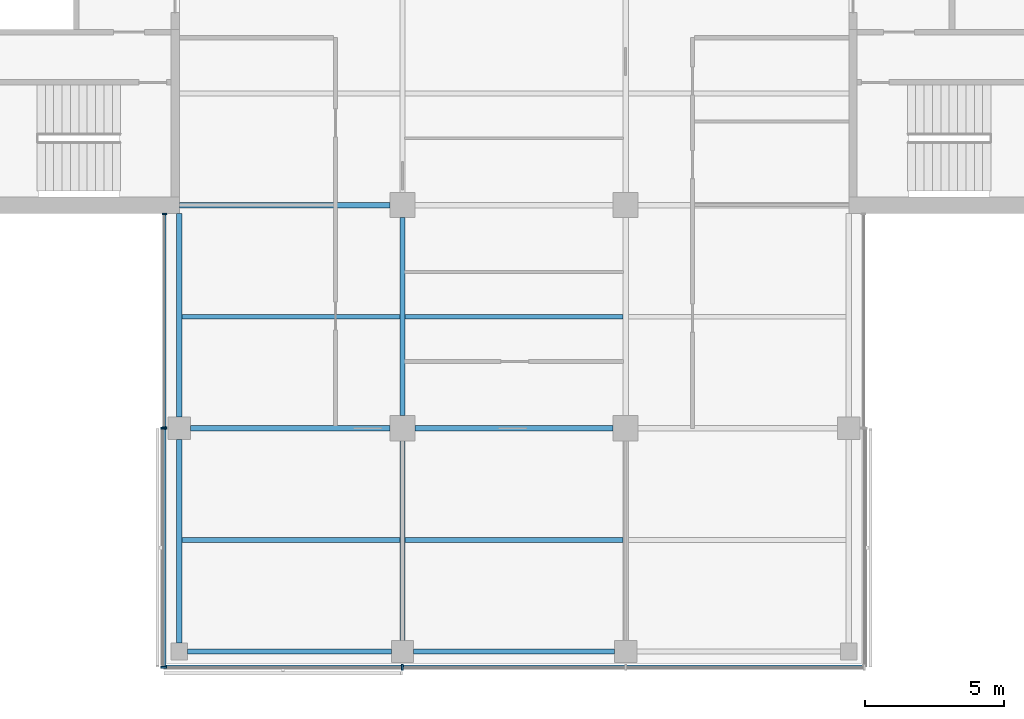
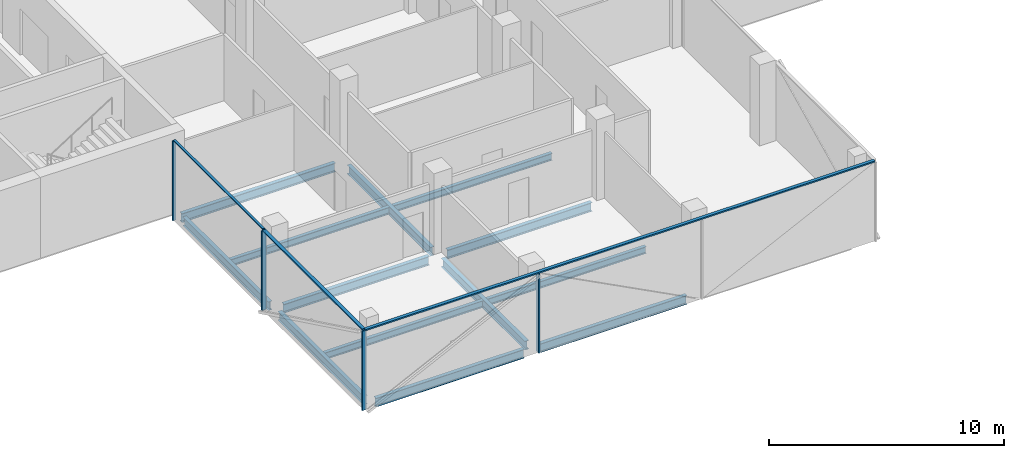
# One storey, part 2 of 15: 13 beams, 8 members, 3 elements without a shape of their own.
"""IFC4 building model written with IfcOpenShell, lengths in metres."""

from ifc_helpers import new_model, si_unit, direction, frame, origin, origin_2d, place, context, subcontext, project, spatial, rectangle, i_section, extrude, material, material_profile, profile_set, type_object, element, aggregate, save


model = new_model("IFC4")

# Units and contexts
model_context = context("Model", 3, precision=1e-05, world=origin(), true_north=direction((0.0, 1.0)))
body_context = subcontext(model_context, "Body", "Model", "MODEL_VIEW")
ifc_project = project(units=[si_unit("LENGTHUNIT", "METRE"), si_unit("AREAUNIT", "SQUARE_METRE"), si_unit("VOLUMEUNIT", "CUBIC_METRE"), si_unit("PLANEANGLEUNIT", "RADIAN"), si_unit("MASSUNIT", "GRAM", prefix="KILO")], contexts=[model_context])

# Site, building, storey
site_placement = place(None, origin())
site = spatial("IfcSite", under=ifc_project, at=site_placement, CompositionType="ELEMENT")
building_placement = place(site_placement, origin())
building = spatial("IfcBuilding", under=site, at=building_placement, Name="Crosswind Convention Tower", CompositionType="ELEMENT")
storey_placement = place(building_placement, frame((0.0, 0.0, 199.89990234375)))
storey = spatial("IfcBuildingStorey", under=building, at=storey_placement, Name="L42", CompositionType="ELEMENT", Elevation=199.89990234375)

# Beams
ifc_material_1 = material(Name="Steel S355", Category="steel")
ifc_material_profile_1 = material_profile(ifc_material_1, i_section(OverallWidth=0.18994140625, OverallDepth=0.45361328125, WebThickness=0.008544921875, FlangeThickness=0.0126953125, FilletRadius=0.01025390625, at=origin_2d()), Name="UB 457x191x67")
ifc_profile_set_1 = profile_set([ifc_material_profile_1], Name="Steel S355")
beam_type_1 = type_object("IfcBeamType", Name="Edge beam UB 457x191x67", PredefinedType="SPANDREL", material=ifc_profile_set_1)
for number, where, z_axis, x_axis, name in (
    (1, (113.0, 72.300048828125, -0.526611328125), (0.0, 1.0, 0.0), (-1.0, 0.0, 0.0), "B16 L42 edge beam 1"),
    (2, (113.0, 80.39990234375, -0.526611328125), (0.0, 1.0, 0.0), (-1.0, 0.0, 0.0), "B16 L42 edge beam 2"),
    (3, (113.300048828125, 72.0, -0.526611328125), (1.0, 0.0, 0.0), (0.0, 1.0, 0.0), "B16 L42 edge beam 5"),
):
    element("IfcBeam", number, at=place(storey_placement, frame(where, z_axis=z_axis, x_axis=x_axis)), inside=storey, type_object=beam_type_1, Name=name, PredefinedType="SPANDREL", context=body_context, shape_type="SweptSolid", body=[
        extrude(i_section(OverallWidth=0.18994140625, OverallDepth=0.45361328125, WebThickness=0.008544921875, FlangeThickness=0.0126953125, FilletRadius=0.01025390625, at=origin_2d()), origin(), (0.0, 0.0, 1.0), 7.300048828125),
    ])
beam_1_placement = place(storey_placement, frame((121.39990234375, 72.0, -0.526611328125), z_axis=(1.0, 0.0, 0.0), x_axis=(0.0, 1.0, 0.0)))
element("IfcBeam", 4, at=beam_1_placement, inside=storey, type_object=beam_type_1, Name="B16 L42 edge beam 7", PredefinedType="SPANDREL", context=body_context, shape_type="SweptSolid", body=[
    extrude(i_section(OverallWidth=0.18994140625, OverallDepth=0.45361328125, WebThickness=0.008544921875, FlangeThickness=0.0126953125, FilletRadius=0.01025390625, at=origin_2d()), origin(), (0.0, 0.0, 1.0), 7.2001953125),
])
ifc_material_profile_2 = material_profile(ifc_material_1, i_section(OverallWidth=0.1904296875, OverallDepth=0.457275390625, WebThickness=0.009033203125, FlangeThickness=0.014404296875, FilletRadius=0.01025390625, at=origin_2d()), Name="UB 457x191x75")
ifc_profile_set_2 = profile_set([ifc_material_profile_2], Name="Steel S355")
beam_type_2 = type_object("IfcBeamType", Name="Girder UB 457x191x75", PredefinedType="BEAM", material=ifc_profile_set_2)
for number, where, z_axis, x_axis, name in (
    (5, (113.39990234375, 80.0, -0.528564453125), (1.0, 0.0, 0.0), (0.0, 1.0, 0.0), "B2 L42 girder 1"),
    (6, (121.0, 72.39990234375, -0.528564453125), (0.0, 1.0, 0.0), (-1.0, 0.0, 0.0), "B2 L42 girder 3"),
):
    element("IfcBeam", number, at=place(storey_placement, frame(where, z_axis=z_axis, x_axis=x_axis)), inside=storey, type_object=beam_type_2, Name=name, PredefinedType="BEAM", context=body_context, shape_type="SweptSolid", body=[
        extrude(i_section(OverallWidth=0.1904296875, OverallDepth=0.457275390625, WebThickness=0.009033203125, FlangeThickness=0.014404296875, FilletRadius=0.01025390625, at=origin_2d()), origin(), (0.0, 0.0, 1.0), 7.150146484375),
    ])
for number, where, z_axis, x_axis, name in (
    (7, (121.0, 80.449951171875, -0.528564453125), (0.0, 1.0, 0.0), (-1.0, 0.0, 0.0), "B2 L42 girder 4"),
    (8, (121.449951171875, 80.0, -0.528564453125), (1.0, 0.0, 0.0), (0.0, 1.0, 0.0), "B2 L42 girder 10"),
):
    element("IfcBeam", number, at=place(storey_placement, frame(where, z_axis=z_axis, x_axis=x_axis)), inside=storey, type_object=beam_type_2, Name=name, PredefinedType="BEAM", context=body_context, shape_type="SweptSolid", body=[
        extrude(i_section(OverallWidth=0.1904296875, OverallDepth=0.457275390625, WebThickness=0.009033203125, FlangeThickness=0.014404296875, FilletRadius=0.01025390625, at=origin_2d()), origin(), (0.0, 0.0, 1.0), 7.10009765625),
    ])
ifc_material_profile_3 = material_profile(ifc_material_1, i_section(OverallWidth=0.19140625, OverallDepth=0.460205078125, WebThickness=0.010009765625, FlangeThickness=0.01611328125, FilletRadius=0.01025390625, at=origin_2d()), Name="UB 457x191x82")
ifc_profile_set_3 = profile_set([ifc_material_profile_3], Name="Steel S355")
beam_type_3 = type_object("IfcBeamType", Name="Girder at core wall UB 457x191x82", PredefinedType="BEAM", material=ifc_profile_set_3)
beam_2_placement = place(storey_placement, frame((113.0, 88.0, -0.530029296875), z_axis=(1.0, 0.0, 0.0), x_axis=(0.0, 1.0, 0.0)))
element("IfcBeam", 9, at=beam_2_placement, inside=storey, type_object=beam_type_3, Name="B23 L42 girder at core wall 1", PredefinedType="BEAM", context=body_context, shape_type="SweptSolid", body=[
    extrude(i_section(OverallWidth=0.19140625, OverallDepth=0.460205078125, WebThickness=0.010009765625, FlangeThickness=0.01611328125, FilletRadius=0.01025390625, at=origin_2d()), origin(), (0.0, 0.0, 1.0), 7.550048828125),
])

# Curtain wall, members
ifc_material_2 = material(Name="Aluminium unitised curtain wall", Category="aluminium")
curtain_wall_type_1 = type_object("IfcCurtainWallType", Name="CORE END SLOT WALL 160", PredefinedType="USERDEFINED", material=ifc_material_2)
curtain_wall_1_placement = place(storey_placement, origin())
curtain_wall_1 = element("IfcCurtainWall", 10, at=curtain_wall_1_placement, inside=storey, type_object=curtain_wall_type_1, Name="CW6 L42 S-W.1-1 slot", ObjectType="UNITISED", PredefinedType="USERDEFINED")
ifc_material_3 = material(Name="Aluminium mullion", Category="aluminium")
ifc_material_profile_4 = material_profile(ifc_material_3, rectangle(XDim=0.159912109375, YDim=0.050048828125, at=origin_2d()), Name="AL 160X50")
ifc_profile_set_4 = profile_set([ifc_material_profile_4], Name="Aluminium mullion")
member_type_1 = type_object("IfcMemberType", Name="MULLION 50X160", PredefinedType="MULLION", material=ifc_profile_set_4)
member_1_placement = place(storey_placement, frame((112.469970703125, 87.675048828125, -0.2998046875), z_axis=(0.0, 0.0, 1.0), x_axis=(-1.0, 0.0, 0.0)))
member_1 = element("IfcMember", 11, at=member_1_placement, type_object=member_type_1, Name="CW6 mullion 1", PredefinedType="MULLION", context=body_context, shape_type="SweptSolid", body=[
    extrude(rectangle(XDim=0.159912109375, YDim=0.050048828125, at=origin_2d()), origin(), (0.0, 0.0, 1.0), 4.14990234375),
])
member_2_placement = place(storey_placement, frame((112.469970703125, 80.02490234375, -0.2998046875), z_axis=(0.0, 0.0, 1.0), x_axis=(-1.0, 0.0, 0.0)))
member_2 = element("IfcMember", 12, at=member_2_placement, type_object=member_type_1, Name="CW6 mullion 2", PredefinedType="MULLION", context=body_context, shape_type="SweptSolid", body=[
    extrude(rectangle(XDim=0.159912109375, YDim=0.050048828125, at=origin_2d()), origin(), (0.0, 0.0, 1.0), 4.14990234375),
])

curtain_wall_type_2 = type_object("IfcCurtainWallType", Name="OFFICE UNITISED WALL 220", PredefinedType="USERDEFINED", material=ifc_material_2)
curtain_wall_2_placement = place(storey_placement, origin())
curtain_wall_2 = element("IfcCurtainWall", 13, at=curtain_wall_2_placement, inside=storey, type_object=curtain_wall_type_2, Name="CW3 L42 S-W 1", ObjectType="UNITISED", PredefinedType="USERDEFINED")
ifc_material_profile_5 = material_profile(ifc_material_3, rectangle(XDim=0.219970703125, YDim=0.070068359375, at=origin_2d()), Name="AL 220X70")
ifc_profile_set_5 = profile_set([ifc_material_profile_5], Name="Aluminium mullion")
member_type_2 = type_object("IfcMemberType", Name="MULLION 70X220", PredefinedType="MULLION", material=ifc_profile_set_5)
member_3_placement = place(storey_placement, frame((112.43994140625, 80.0, -0.2998046875), z_axis=(0.0, 0.0, 1.0), x_axis=(-1.0, 0.0, 0.0)))
member_3 = element("IfcMember", 14, at=member_3_placement, type_object=member_type_2, Name="CW3 mullion 1", PredefinedType="MULLION", context=body_context, shape_type="SweptSolid", body=[
    extrude(rectangle(XDim=0.219970703125, YDim=0.070068359375, at=origin_2d()), origin(), (0.0, 0.0, 1.0), 4.1298828125),
])
member_4_placement = place(storey_placement, frame((112.43994140625, 71.43994140625, -0.2998046875), z_axis=(0.0, 0.0, 1.0), x_axis=(-1.0, 0.0, 0.0)))
member_4 = element("IfcMember", 15, at=member_4_placement, type_object=member_type_2, Name="CW3 mullion 2", PredefinedType="MULLION", context=body_context, shape_type="SweptSolid", body=[
    extrude(rectangle(XDim=0.219970703125, YDim=0.070068359375, at=origin_2d()), origin(), (0.0, 0.0, 1.0), 4.1298828125),
])

# Curtain wall, member
curtain_wall_3_placement = place(storey_placement, origin())
curtain_wall_3 = element("IfcCurtainWall", 16, at=curtain_wall_3_placement, inside=storey, type_object=curtain_wall_type_2, Name="CW3 L42 S-TIP 1", ObjectType="UNITISED", PredefinedType="USERDEFINED")
member_5_placement = place(storey_placement, frame((121.0, 71.43994140625, -0.2998046875), z_axis=(0.0, 0.0, 1.0), x_axis=(0.0, -1.0, 0.0)))
member_5 = element("IfcMember", 17, at=member_5_placement, type_object=member_type_2, Name="CW3 mullion 2", PredefinedType="MULLION", context=body_context, shape_type="SweptSolid", body=[
    extrude(rectangle(XDim=0.219970703125, YDim=0.070068359375, at=origin_2d()), origin(), (0.0, 0.0, 1.0), 4.1298828125),
])

# Beams
ifc_material_profile_6 = material_profile(ifc_material_1, i_section(OverallWidth=0.172119140625, OverallDepth=0.358642578125, WebThickness=0.008056640625, FlangeThickness=0.012939453125, FilletRadius=0.01025390625, at=origin_2d()), Name="UB 356x171x57")
ifc_profile_set_6 = profile_set([ifc_material_profile_6], Name="Steel S355")
beam_type_4 = type_object("IfcBeamType", Name="Secondary beam UB 356x171x57", PredefinedType="JOIST", material=ifc_profile_set_6)
for number, where, z_axis, x_axis, name in (
    (18, (113.094970703125, 76.0, -0.479248046875), (1.0, 0.0, 0.0), (0.0, 1.0, 0.0), "B9 L42 secondary beam 4"),
    (19, (113.094970703125, 84.0, -0.479248046875), (1.0, 0.0, 0.0), (0.0, 1.0, 0.0), "B9 L42 secondary beam 5"),
):
    element("IfcBeam", number, at=place(storey_placement, frame(where, z_axis=z_axis, x_axis=x_axis)), inside=storey, type_object=beam_type_4, Name=name, PredefinedType="JOIST", context=body_context, shape_type="SweptSolid", body=[
        extrude(i_section(OverallWidth=0.172119140625, OverallDepth=0.358642578125, WebThickness=0.008056640625, FlangeThickness=0.012939453125, FilletRadius=0.01025390625, at=origin_2d()), origin(), (0.0, 0.0, 1.0), 7.809814453125),
    ])
for number, where, z_axis, x_axis, name in (
    (20, (121.09521484375, 76.0, -0.479248046875), (1.0, 0.0, 0.0), (0.0, 1.0, 0.0), "B9 L42 secondary beam 8"),
    (21, (121.09521484375, 84.0, -0.479248046875), (1.0, 0.0, 0.0), (0.0, 1.0, 0.0), "B9 L42 secondary beam 9"),
):
    element("IfcBeam", number, at=place(storey_placement, frame(where, z_axis=z_axis, x_axis=x_axis)), inside=storey, type_object=beam_type_4, Name=name, PredefinedType="JOIST", context=body_context, shape_type="SweptSolid", body=[
        extrude(i_section(OverallWidth=0.172119140625, OverallDepth=0.358642578125, WebThickness=0.008056640625, FlangeThickness=0.012939453125, FilletRadius=0.01025390625, at=origin_2d()), origin(), (0.0, 0.0, 1.0), 7.8095703125),
    ])

# Member
ifc_material_4 = material(Name="Aluminium transom", Category="aluminium")
ifc_material_profile_7 = material_profile(ifc_material_4, rectangle(XDim=0.1201171875, YDim=0.050048828125, at=origin_2d()), Name="AL 120X50")
ifc_profile_set_7 = profile_set([ifc_material_profile_7], Name="Aluminium transom")
member_type_3 = type_object("IfcMemberType", Name="TRANSOM 50X120", PredefinedType="USERDEFINED", material=ifc_profile_set_7)
member_6_placement = place(storey_placement, frame((112.469970703125, 87.64990234375, 3.875), z_axis=(0.0, -1.0, 0.0), x_axis=(1.0, 0.0, 0.0)))
member_6 = element("IfcMember", 22, at=member_6_placement, type_object=member_type_3, Name="CW6 transom", ObjectType="TRANSOM", PredefinedType="USERDEFINED", context=body_context, shape_type="SweptSolid", body=[
    extrude(rectangle(XDim=0.1201171875, YDim=0.050048828125, at=origin_2d()), origin(), (0.0, 0.0, 1.0), 7.599853515625),
])

aggregate(curtain_wall_1, [member_1, member_2, member_6])

ifc_material_profile_8 = material_profile(ifc_material_4, rectangle(XDim=0.159912109375, YDim=0.070068359375, at=origin_2d()), Name="AL 160X70")
ifc_profile_set_8 = profile_set([ifc_material_profile_8], Name="Aluminium transom")
member_type_4 = type_object("IfcMemberType", Name="TRANSOM 70X160", PredefinedType="USERDEFINED", material=ifc_profile_set_8)
member_7_placement = place(storey_placement, frame((112.43994140625, 79.965087890625, 3.864990234375), z_axis=(0.0, -1.0, 0.0), x_axis=(1.0, 0.0, 0.0)))
member_7 = element("IfcMember", 23, at=member_7_placement, type_object=member_type_4, Name="CW3 transom", ObjectType="TRANSOM", PredefinedType="USERDEFINED", context=body_context, shape_type="SweptSolid", body=[
    extrude(rectangle(XDim=0.159912109375, YDim=0.070068359375, at=origin_2d()), origin(), (0.0, 0.0, 1.0), 8.489990234375),
])

aggregate(curtain_wall_2, [member_3, member_4, member_7])

member_8_placement = place(storey_placement, frame((112.47509765625, 71.43994140625, 3.864990234375), z_axis=(1.0, 0.0, 0.0), x_axis=(0.0, 1.0, 0.0)))
member_8 = element("IfcMember", 24, at=member_8_placement, type_object=member_type_4, Name="CW3 transom", ObjectType="TRANSOM", PredefinedType="USERDEFINED", context=body_context, shape_type="SweptSolid", body=[
    extrude(rectangle(XDim=0.159912109375, YDim=0.070068359375, at=origin_2d()), origin(), (0.0, 0.0, 1.0), 25.0498046875),
])

aggregate(curtain_wall_3, [member_5, member_8])

save(model, "model.ifc")
